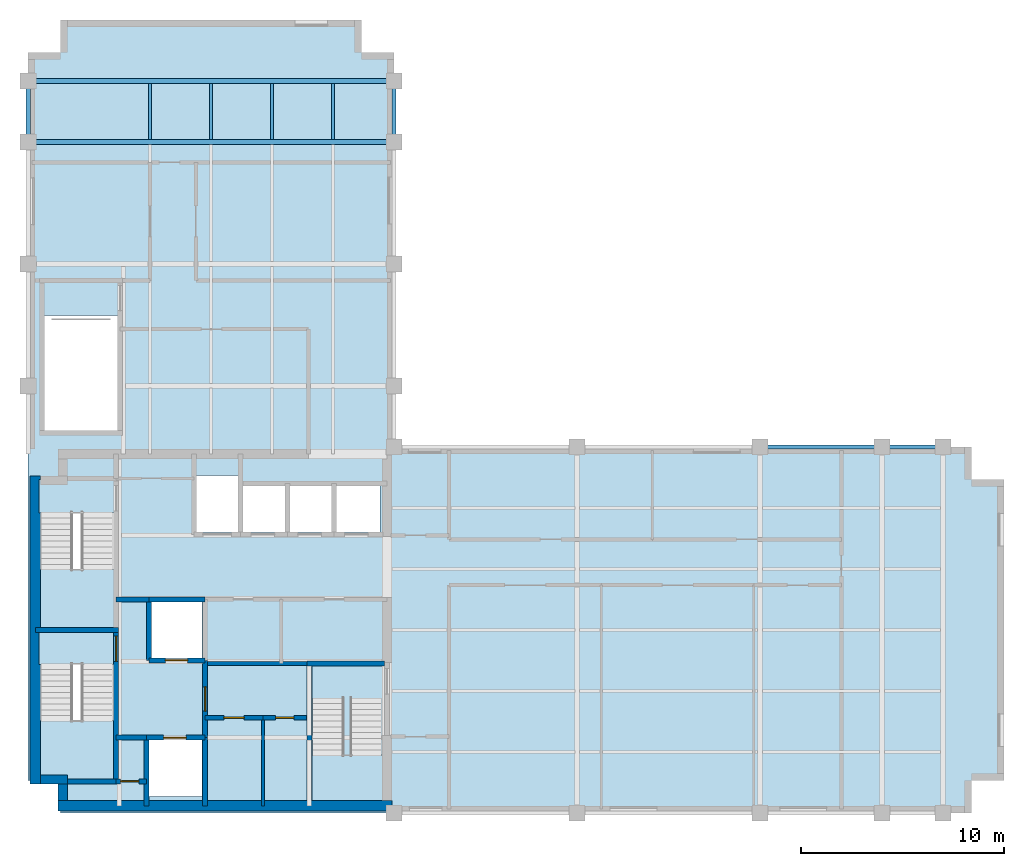
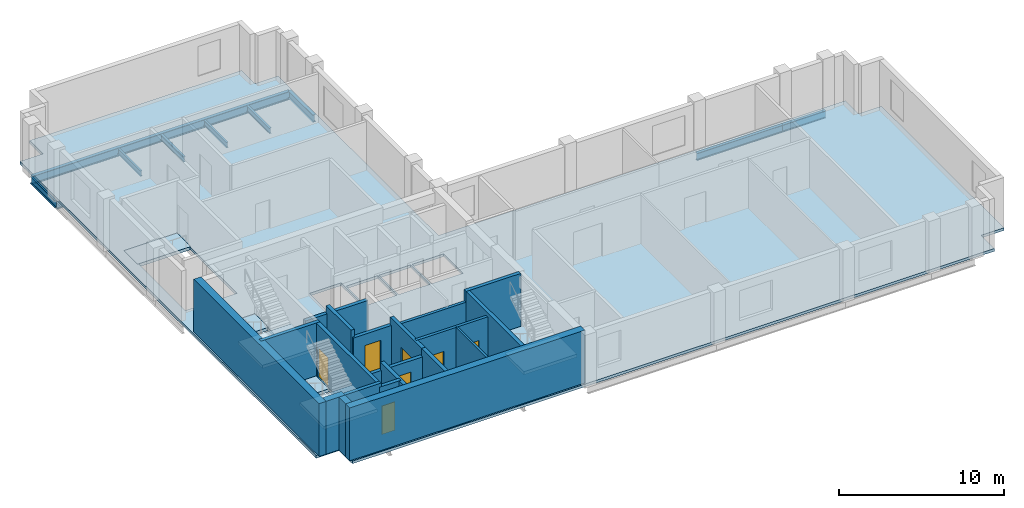
# One storey, part 2 of 6: 23 walls, 10 beams, 7 doors, 7 slabs, 7 openings, 3 elements without a shape of their own.
"""IFC4 building model written with IfcOpenShell, lengths in metres."""

from ifc_helpers import new_model, si_unit, direction, frame, frame_2d, origin, origin_2d, place, context, subcontext, project, spatial, polyline, rectangle, i_section, outline, extrude, material, layer, layer_set, material_profile, profile_set, type_object, element, fill, aggregate, save


model = new_model("IFC4")

# Units and contexts
model_context = context("Model", 3, precision=1e-05, world=origin(), true_north=direction((0.0, 1.0)))
body_context = subcontext(model_context, "Body", "Model", "MODEL_VIEW")
ifc_project = project(units=[si_unit("LENGTHUNIT", "METRE"), si_unit("AREAUNIT", "SQUARE_METRE"), si_unit("VOLUMEUNIT", "CUBIC_METRE"), si_unit("PLANEANGLEUNIT", "RADIAN"), si_unit("MASSUNIT", "GRAM", prefix="KILO")], contexts=[model_context])

# Site, building, storey
site_placement = place(None, origin())
site = spatial("IfcSite", under=ifc_project, at=site_placement, CompositionType="ELEMENT")
building_placement = place(site_placement, origin())
building = spatial("IfcBuilding", under=site, at=building_placement, Name="Mawjdan Bourse Tower", CompositionType="ELEMENT")
storey_placement = place(building_placement, frame((0.0, 0.0, 250.800048828125)))
storey = spatial("IfcBuildingStorey", under=building, at=storey_placement, Name="L61", CompositionType="ELEMENT", Elevation=250.800048828125)

# Beams
ifc_material_1 = material(Name="Structural Steel S355", Category="steel")
ifc_material_profile_1 = material_profile(ifc_material_1, i_section(OverallWidth=0.22998046875, OverallDepth=0.616943359375, WebThickness=0.01318359375, FlangeThickness=0.022216796875, FilletRadius=0.017822265625, at=origin_2d()), Name="W24X94")
ifc_profile_set_1 = profile_set([ifc_material_profile_1], Name="Structural Steel S355")
beam_type_1 = type_object("IfcBeamType", Name="GRD-W24X94", PredefinedType="BEAM", material=ifc_profile_set_1)
for number, where, z_axis, x_axis, name in (
    (1, (6.0, 36.0, -0.508544921875), (1.0, 0.0, 0.0), (0.0, 1.0, 0.0), "L61 North Wing Clear-Span Girder 041"),
    (2, (6.0, 39.0, -0.508544921875), (1.0, 0.0, 0.0), (0.0, 1.0, 0.0), "L61 North Wing Clear-Span Girder 042"),
):
    element("IfcBeam", number, at=place(storey_placement, frame(where, z_axis=z_axis, x_axis=x_axis)), inside=storey, type_object=beam_type_1, Name=name, PredefinedType="BEAM", context=body_context, shape_type="SweptSolid", body=[
        extrude(i_section(OverallWidth=0.22998046875, OverallDepth=0.616943359375, WebThickness=0.01318359375, FlangeThickness=0.022216796875, FilletRadius=0.017822265625, at=origin_2d()), origin(), (0.0, 0.0, 1.0), 18.0),
    ])
ifc_material_profile_2 = material_profile(ifc_material_1, i_section(OverallWidth=0.139892578125, OverallDepth=0.404052734375, WebThickness=0.007080078125, FlangeThickness=0.01123046875, FilletRadius=0.009033203125, at=origin_2d()), Name="W16X31")
ifc_profile_set_2 = profile_set([ifc_material_profile_2], Name="Structural Steel S355")
beam_type_2 = type_object("IfcBeamType", Name="JST-W16X31", PredefinedType="JOIST", material=ifc_profile_set_2)
for number, where, z_axis, x_axis, name in (
    (3, (12.0, 36.113037109375, -0.402099609375), (0.0, 1.0, 0.0), (-1.0, 0.0, 0.0), "L61 North Wing Composite Joist 054"),
    (4, (15.0, 36.113037109375, -0.402099609375), (0.0, 1.0, 0.0), (-1.0, 0.0, 0.0), "L61 North Wing Composite Joist 058"),
    (5, (18.0, 36.113037109375, -0.402099609375), (0.0, 1.0, 0.0), (-1.0, 0.0, 0.0), "L61 North Wing Composite Joist 062"),
    (6, (21.0, 36.113037109375, -0.402099609375), (0.0, 1.0, 0.0), (-1.0, 0.0, 0.0), "L61 North Wing Composite Joist 066"),
):
    element("IfcBeam", number, at=place(storey_placement, frame(where, z_axis=z_axis, x_axis=x_axis)), inside=storey, type_object=beam_type_2, Name=name, PredefinedType="JOIST", context=body_context, shape_type="SweptSolid", body=[
        extrude(i_section(OverallWidth=0.139892578125, OverallDepth=0.404052734375, WebThickness=0.007080078125, FlangeThickness=0.01123046875, FilletRadius=0.009033203125, at=origin_2d()), origin(), (0.0, 0.0, 1.0), 2.77392578125),
    ])
ifc_material_profile_3 = material_profile(ifc_material_1, i_section(OverallWidth=0.2099609375, OverallDepth=0.537109375, WebThickness=0.010986328125, FlangeThickness=0.017333984375, FilletRadius=0.013916015625, at=origin_2d()), Name="W21X68")
ifc_profile_set_3 = profile_set([ifc_material_profile_3], Name="Structural Steel S355")
beam_type_3 = type_object("IfcBeamType", Name="SPN-W21X68", PredefinedType="SPANDREL", material=ifc_profile_set_3)
beam_placement = place(storey_placement, frame((42.0, 21.0, -0.468505859375), z_axis=(1.0, 0.0, 0.0), x_axis=(0.0, 1.0, 0.0)))
element("IfcBeam", 7, at=beam_placement, inside=storey, type_object=beam_type_3, Name="L61 Perimeter Masonry-Shelf Spandrel 012", PredefinedType="SPANDREL", context=body_context, shape_type="SweptSolid", body=[
    extrude(i_section(OverallWidth=0.2099609375, OverallDepth=0.537109375, WebThickness=0.010986328125, FlangeThickness=0.017333984375, FilletRadius=0.013916015625, at=origin_2d()), origin(), (0.0, 0.0, 1.0), 6.0),
])
for number, where, z_axis, x_axis, name in (
    (8, (48.0, 21.0, -0.468505859375), (1.0, 0.0, 0.0), (0.0, 1.0, 0.0), "L61 Perimeter Masonry-Shelf Spandrel 013"),
    (9, (6.0, 36.0, -0.468505859375), (0.0, 1.0, 0.0), (-1.0, 0.0, 0.0), "L61 North Wing Spandrel 046"),
    (10, (24.0, 36.0, -0.468505859375), (0.0, 1.0, 0.0), (-1.0, 0.0, 0.0), "L61 North Wing Spandrel 050"),
):
    element("IfcBeam", number, at=place(storey_placement, frame(where, z_axis=z_axis, x_axis=x_axis)), inside=storey, type_object=beam_type_3, Name=name, PredefinedType="SPANDREL", context=body_context, shape_type="SweptSolid", body=[
        extrude(i_section(OverallWidth=0.2099609375, OverallDepth=0.537109375, WebThickness=0.010986328125, FlangeThickness=0.017333984375, FilletRadius=0.013916015625, at=origin_2d()), origin(), (0.0, 0.0, 1.0), 3.0),
    ])

# Stair, slabs
ifc_material_2 = material(Name="Concrete C50/60", Category="concrete")
stair_type = type_object("IfcStairType", Name="STR-CORE-1500", PredefinedType="HALF_TURN_STAIR", material=ifc_material_2)
stair_1_placement = place(storey_placement, origin())
stair_1 = element("IfcStair", 11, at=stair_1_placement, inside=storey, type_object=stair_type, Name="L61 Exit Stair 1 (Core South-West)", PredefinedType="HALF_TURN_STAIR")
ifc_layer_1 = layer(ifc_material_2, 0.22998046875)
ifc_layer_set_1 = layer_set([ifc_layer_1], Name="Concrete C50/60")
slab_type_1 = type_object("IfcSlabType", Name="SL-LND-230", PredefinedType="LANDING", material=ifc_layer_set_1)
slab_1_placement = place(storey_placement, frame((0.0, 0.0, -0.22998046875)))
slab_1 = element("IfcSlab", 12, at=slab_1_placement, type_object=slab_type_1, Name="ST1-L61 landing 1", PredefinedType="LANDING", context=body_context, shape_type="SweptSolid", body=[
    extrude(outline(polyline([(6.5400390625, 10.31005859375), (10.260009765625, 10.31005859375), (10.260009765625, 11.969970703125), (6.5400390625, 11.969970703125), (6.5400390625, 10.31005859375)])), origin(), (0.0, 0.0, 1.0), 0.22998046875),
])
slab_2_placement = place(storey_placement, frame((0.0, 0.0, 1.719970703125)))
slab_2 = element("IfcSlab", 13, at=slab_2_placement, type_object=slab_type_1, Name="ST1-L61 landing 2", PredefinedType="LANDING", context=body_context, shape_type="SweptSolid", body=[
    extrude(outline(polyline([(6.5400390625, 4.590087890625), (10.260009765625, 4.590087890625), (10.260009765625, 7.5400390625), (6.5400390625, 7.5400390625), (6.5400390625, 4.590087890625)])), origin(), (0.0, 0.0, 1.0), 0.22998046875),
])
aggregate(stair_1, [slab_1, slab_2])

stair_2_placement = place(storey_placement, origin())
stair_2 = element("IfcStair", 14, at=stair_2_placement, inside=storey, type_object=stair_type, Name="L61 Exit Stair 2 (Core North-West)", PredefinedType="HALF_TURN_STAIR")
slab_3_placement = place(storey_placement, frame((0.0, 0.0, -0.22998046875)))
slab_3 = element("IfcSlab", 15, at=slab_3_placement, type_object=slab_type_1, Name="ST2-L61 landing 1", PredefinedType="LANDING", context=body_context, shape_type="SweptSolid", body=[
    extrude(outline(polyline([(6.5400390625, 17.75), (10.260009765625, 17.75), (10.260009765625, 19.409912109375), (6.5400390625, 19.409912109375), (6.5400390625, 17.75)])), origin(), (0.0, 0.0, 1.0), 0.22998046875),
])
slab_4_placement = place(storey_placement, frame((0.0, 0.0, 1.719970703125)))
slab_4 = element("IfcSlab", 16, at=slab_4_placement, type_object=slab_type_1, Name="ST2-L61 landing 2", PredefinedType="LANDING", context=body_context, shape_type="SweptSolid", body=[
    extrude(outline(polyline([(6.5400390625, 12.030029296875), (10.260009765625, 12.030029296875), (10.260009765625, 14.97998046875), (6.5400390625, 14.97998046875), (6.5400390625, 12.030029296875)])), origin(), (0.0, 0.0, 1.0), 0.22998046875),
])
aggregate(stair_2, [slab_3, slab_4])

# Slab
slab_5_placement = place(storey_placement, frame((0.0, 0.0, -0.22998046875)))
element("IfcSlab", 17, at=slab_5_placement, inside=storey, type_object=slab_type_1, Name="L61 ST3 Top Arrival Landing", PredefinedType="LANDING", context=body_context, shape_type="SweptSolid", body=[
    extrude(outline(polyline([(6.739990234375, 27.4599609375), (10.4599609375, 27.4599609375), (10.4599609375, 29.1201171875), (6.739990234375, 29.1201171875), (6.739990234375, 27.4599609375)])), origin(), (0.0, 0.0, 1.0), 0.22998046875),
])

# Stair, slab
stair_3_placement = place(storey_placement, origin())
stair_3 = element("IfcStair", 18, at=stair_3_placement, inside=storey, type_object=stair_type, Name="L61 Exit Stair 7 (Core South-East)", PredefinedType="HALF_TURN_STAIR")
slab_6_placement = place(storey_placement, frame((0.0, 0.0, 1.719970703125)))
slab_6 = element("IfcSlab", 19, at=slab_6_placement, type_object=slab_type_1, Name="ST7-L61 landing 1", PredefinedType="LANDING", context=body_context, shape_type="SweptSolid", body=[
    extrude(outline(polyline([(19.889892578125, 3.56005859375), (23.610107421875, 3.56005859375), (23.610107421875, 5.85009765625), (19.889892578125, 5.85009765625), (19.889892578125, 3.56005859375)])), origin(), (0.0, 0.0, 1.0), 0.22998046875),
])
aggregate(stair_3, [slab_6])

# Slab
ifc_layer_2 = layer(ifc_material_2, 0.199951171875)
ifc_layer_set_2 = layer_set([ifc_layer_2], Name="Concrete C50/60")
slab_type_2 = type_object("IfcSlabType", Name="SL-OFC-200", PredefinedType="FLOOR", material=ifc_layer_set_2)
slab_7_placement = place(storey_placement, frame((0.0, 0.0, -0.199951171875)))
element("IfcSlab", 20, at=slab_7_placement, inside=storey, type_object=slab_type_2, Name="L61 Structural Floor Slab 1", PredefinedType="FLOOR", context=body_context, shape_type="SweptSolid", body=[
    extrude(outline(polyline([(7.60009765625, 3.0), (52.39990234375, 3.0), (52.39990234375, 4.60009765625), (54.0, 4.60009765625), (54.0, 19.39990234375), (52.39990234375, 19.39990234375), (52.39990234375, 21.0), (24.0, 21.0), (24.0, 40.39990234375), (22.39990234375, 40.39990234375), (22.39990234375, 42.0), (7.60009765625, 42.0), (7.60009765625, 40.39990234375), (6.0, 40.39990234375), (6.0, 4.60009765625), (7.60009765625, 4.60009765625), (7.60009765625, 3.0)]), holes=[polyline([(6.5400390625, 11.969970703125), (10.260009765625, 11.969970703125), (10.260009765625, 10.31005859375), (10.199951171875, 10.31005859375), (10.199951171875, 4.64990234375), (6.60009765625, 4.64990234375), (6.60009765625, 10.31005859375), (6.5400390625, 10.31005859375), (6.5400390625, 11.969970703125)]), polyline([(6.60009765625, 12.090087890625), (6.60009765625, 17.75), (6.5400390625, 17.75), (6.5400390625, 19.409912109375), (10.260009765625, 19.409912109375), (10.260009765625, 17.75), (10.199951171875, 17.75), (10.199951171875, 12.090087890625), (6.60009765625, 12.090087890625)]), polyline([(10.4599609375, 29.1201171875), (10.4599609375, 27.4599609375), (10.39990234375, 27.4599609375), (10.39990234375, 21.800048828125), (6.800048828125, 21.800048828125), (6.800048828125, 27.4599609375), (6.739990234375, 27.4599609375), (6.739990234375, 29.1201171875), (10.4599609375, 29.1201171875)]), polyline([(14.550048828125, 3.800048828125), (11.949951171875, 3.800048828125), (11.949951171875, 6.60009765625), (14.550048828125, 6.60009765625), (14.550048828125, 3.800048828125)]), polyline([(12.050048828125, 10.60009765625), (12.050048828125, 13.39990234375), (14.550048828125, 13.39990234375), (14.550048828125, 10.60009765625), (12.050048828125, 10.60009765625)]), polyline([(16.5, 16.800048828125), (16.5, 19.14990234375), (18.699951171875, 19.14990234375), (18.699951171875, 16.800048828125), (16.5, 16.800048828125)]), polyline([(21.0, 16.800048828125), (18.800048828125, 16.800048828125), (18.800048828125, 19.14990234375), (21.0, 19.14990234375), (21.0, 16.800048828125)]), polyline([(21.10009765625, 16.800048828125), (21.10009765625, 19.14990234375), (23.300048828125, 19.14990234375), (23.300048828125, 16.800048828125), (21.10009765625, 16.800048828125)]), polyline([(14.199951171875, 16.800048828125), (14.199951171875, 19.60009765625), (16.39990234375, 19.60009765625), (16.39990234375, 16.800048828125), (14.199951171875, 16.800048828125)])]), origin(), (0.0, 0.0, 1.0), 0.199951171875),
])

# Wall, opening, door
ifc_material_3 = material(Name="Gypsum Fireboard Assembly")
ifc_layer_3 = layer(ifc_material_3, 0.199951171875)
ifc_layer_set_3 = layer_set([ifc_layer_3], Name="Gypsum Fireboard Assembly")
wall_type_1 = type_object("IfcWallType", Name="WL-CMP-200", PredefinedType="PARTITIONING", material=ifc_layer_set_3)
wall_1_placement = place(storey_placement, frame((14.699951171875, 7.679931640625, 0.0), z_axis=(0.0, 0.0, 1.0), x_axis=(1.0, 0.0, 0.0)))
wall_1 = element("IfcWall", 21, at=wall_1_placement, inside=storey, type_object=wall_type_1, Name="L61 Archive & Records Office North Wall", PredefinedType="PARTITIONING", context=body_context, shape_type="SweptSolid", body=[
    extrude(rectangle(XDim=2.85009765625, YDim=0.199951171875, at=frame_2d((1.425048828125, 0.0))), origin(), (0.0, 0.0, 1.0), 3.6298828125),
])
opening_1_placement = place(wall_1_placement, frame((0.925048828125, 0.0, 0.0)))
opening_1 = element("IfcOpeningElement", 22, at=opening_1_placement, cuts=wall_1, Name="Opening D-L61-13", PredefinedType="OPENING", context=body_context, shape_type="SweptSolid", body=[
    extrude(rectangle(XDim=1.0, YDim=2.14990234375, at=frame_2d((0.5, 1.074951171875))), frame((0.0, 0.10986328125, 0.0), z_axis=(0.0, -1.0, 0.0), x_axis=(1.0, 0.0, 0.0)), (0.0, 0.0, 1.0), 0.219970703125),
])
ifc_material_4 = material(Name="Hardwood Acoustic Leaf", Category="wood")
door_type_1 = type_object("IfcDoorType", Name="DR-OFC-1000", OperationType="NOTDEFINED", PredefinedType="DOOR", material=ifc_material_4)
door_1_placement = place(opening_1_placement, origin())
door_1 = element("IfcDoor", 23, at=door_1_placement, inside=storey, type_object=door_type_1, Name="L61 Archive & Records Office Door D-L61-13", OperationType="SINGLE_SWING_RIGHT", OverallHeight=2.14990234375, OverallWidth=1.0, PredefinedType="DOOR", context=body_context, shape_type="SweptSolid", body=[
    extrude(rectangle(XDim=1.0, YDim=2.14990234375, at=frame_2d((0.5, 1.074951171875))), frame((0.0, 0.02490234375, 0.0), z_axis=(0.0, -1.0, 0.0), x_axis=(1.0, 0.0, 0.0)), (0.0, 0.0, 1.0), 0.050048828125),
])
fill(opening_1, door_1)

wall_2_placement = place(storey_placement, frame((17.550048828125, 7.679931640625, 0.0), z_axis=(0.0, 0.0, 1.0), x_axis=(1.0, 0.0, 0.0)))
wall_2 = element("IfcWall", 24, at=wall_2_placement, inside=storey, type_object=wall_type_1, Name="L61 IT & Fiber Patch Room North Wall", PredefinedType="PARTITIONING", context=body_context, shape_type="SweptSolid", body=[
    extrude(rectangle(XDim=2.14990234375, YDim=0.199951171875, at=frame_2d((1.074951171875, 0.0))), origin(), (0.0, 0.0, 1.0), 3.6298828125),
])
opening_2_placement = place(wall_2_placement, frame((0.625, 0.0, 0.0)))
opening_2 = element("IfcOpeningElement", 25, at=opening_2_placement, cuts=wall_2, Name="Opening D-L61-14", PredefinedType="OPENING", context=body_context, shape_type="SweptSolid", body=[
    extrude(rectangle(XDim=0.89990234375, YDim=2.10009765625, at=frame_2d((0.449951171875, 1.050048828125))), frame((0.0, 0.10986328125, 0.0), z_axis=(0.0, -1.0, 0.0), x_axis=(1.0, 0.0, 0.0)), (0.0, 0.0, 1.0), 0.219970703125),
])
ifc_material_5 = material(Name="Fire-Rated Steel Access Leaf", Category="steel")
door_type_2 = type_object("IfcDoorType", Name="FD-RSR-0900", OperationType="NOTDEFINED", PredefinedType="TRAPDOOR", material=ifc_material_5)
door_2_placement = place(opening_2_placement, origin())
door_2 = element("IfcDoor", 26, at=door_2_placement, inside=storey, type_object=door_type_2, Name="L61 IT & Fiber Patch Room Door D-L61-14", OperationType="SINGLE_SWING_LEFT", OverallHeight=2.10009765625, OverallWidth=0.89990234375, PredefinedType="TRAPDOOR", context=body_context, shape_type="SweptSolid", body=[
    extrude(rectangle(XDim=0.89990234375, YDim=2.10009765625, at=frame_2d((0.449951171875, 1.050048828125))), frame((0.0, 0.02490234375, 0.0), z_axis=(0.0, -1.0, 0.0), x_axis=(1.0, 0.0, 0.0)), (0.0, 0.0, 1.0), 0.050048828125),
])
fill(opening_2, door_2)

# Walls
wall_3_placement = place(storey_placement, frame((14.824951171875, 10.340087890625, 0.0), z_axis=(0.0, 0.0, 1.0), x_axis=(1.0, 0.0, 0.0)))
element("IfcWall", 27, at=wall_3_placement, inside=storey, type_object=wall_type_1, Name="L61 Core Restroom Suite South Wall", PredefinedType="PARTITIONING", context=body_context, shape_type="SweptSolid", body=[
    extrude(rectangle(XDim=4.880126953125, YDim=0.199951171875, at=frame_2d((2.43994140625, 0.0))), origin(), (0.0, 0.0, 1.0), 3.087890625),
])
ifc_material_6 = material(Name="Concrete C60/75", Category="concrete")
ifc_layer_4 = layer(ifc_material_6, 0.449951171875)
ifc_layer_set_4 = layer_set([ifc_layer_4], Name="Concrete C60/75")
wall_type_2 = type_object("IfcWallType", Name="WL-CORE-450", PredefinedType="SHEAR", material=ifc_layer_set_4)
wall_4_placement = place(storey_placement, frame((6.60009765625, 4.64990234375, 0.0), z_axis=(0.0, 0.0, 1.0), x_axis=(1.0, 0.0, 0.0)))
element("IfcWall", 28, at=wall_4_placement, inside=storey, type_object=wall_type_2, Name="L61 Rear Core Shear Wall SW-X", PredefinedType="SHEAR", context=body_context, shape_type="SweptSolid", body=[
    extrude(rectangle(XDim=1.324951171875, YDim=0.449951171875, at=frame_2d((0.66259765625, 0.0))), origin(), (0.0, 0.0, 1.0), 3.89990234375),
])
wall_5_placement = place(storey_placement, frame((7.699951171875, 3.60009765625, 0.0), z_axis=(0.0, 0.0, 1.0), x_axis=(0.0, 1.0, 0.0)))
element("IfcWall", 29, at=wall_5_placement, inside=storey, type_object=wall_type_2, Name="L61 Rear Core Shear Wall SW-Y", PredefinedType="SHEAR", context=body_context, shape_type="SweptSolid", body=[
    extrude(rectangle(XDim=0.824951171875, YDim=0.449951171875, at=frame_2d((0.41259765625, 0.0))), origin(), (0.0, 0.0, 1.0), 3.89990234375),
])
ifc_layer_5 = layer(ifc_material_6, 0.5)
ifc_layer_set_5 = layer_set([ifc_layer_5], Name="Concrete C60/75")
wall_type_3 = type_object("IfcWallType", Name="WL-CORE-500", PredefinedType="SHEAR", material=ifc_layer_set_5)
wall_6_placement = place(storey_placement, frame((7.47509765625, 3.35009765625, 0.0), z_axis=(0.0, 0.0, 1.0), x_axis=(1.0, 0.0, 0.0)))
element("IfcWall", 30, at=wall_6_placement, inside=storey, type_object=wall_type_3, Name="L61 Rear Core Shear Wall S", PredefinedType="SHEAR", context=body_context, shape_type="SweptSolid", body=[
    extrude(rectangle(XDim=16.4248046875, YDim=0.5, at=frame_2d((8.21240234375, 0.0))), origin(), (0.0, 0.0, 1.0), 3.89990234375),
])
wall_7_placement = place(storey_placement, frame((6.35009765625, 4.425048828125, 0.0), z_axis=(0.0, 0.0, 1.0), x_axis=(0.0, 1.0, 0.0)))
element("IfcWall", 31, at=wall_7_placement, inside=storey, type_object=wall_type_3, Name="L61 Rear Core Shear Wall W", PredefinedType="SHEAR", context=body_context, shape_type="SweptSolid", body=[
    extrude(rectangle(XDim=15.14990234375, YDim=0.5, at=frame_2d((7.574951171875, 0.0))), origin(), (0.0, 0.0, 1.0), 3.89990234375),
])
ifc_material_7 = material(Name="Gypsum Acoustic Partition")
ifc_layer_6 = layer(ifc_material_7, 0.14990234375)
ifc_layer_set_6 = layer_set([ifc_layer_6], Name="Gypsum Acoustic Partition")
wall_type_4 = type_object("IfcWallType", Name="WL-PRT-150", PredefinedType="PARTITIONING", material=ifc_layer_set_6)
wall_8_placement = place(storey_placement, frame((17.550048828125, 3.35009765625, 0.0), z_axis=(0.0, 0.0, 1.0), x_axis=(0.0, 1.0, 0.0)))
element("IfcWall", 32, at=wall_8_placement, inside=storey, type_object=wall_type_4, Name="L61 IT & Fiber Patch Room Core Split Wall", PredefinedType="PARTITIONING", context=body_context, shape_type="SweptSolid", body=[
    extrude(rectangle(XDim=4.329833984375, YDim=0.14990234375, at=frame_2d((2.1650390625, 0.0))), origin(), (0.0, 0.0, 1.0), 3.6298828125),
])

# Wall, opening, door
ifc_layer_7 = layer(ifc_material_2, 0.25)
ifc_layer_set_7 = layer_set([ifc_layer_7], Name="Concrete C50/60")
wall_type_5 = type_object("IfcWallType", Name="WL-SHFT-250", PredefinedType="PARTITIONING", material=ifc_layer_set_7)
wall_9_placement = place(storey_placement, frame((10.330078125, 4.550048828125, 0.0), z_axis=(0.0, 0.0, 1.0), x_axis=(1.0, 0.0, 0.0)))
wall_9 = element("IfcWall", 33, at=wall_9_placement, inside=storey, type_object=wall_type_5, Name="L61 SW Riser North Wall", PredefinedType="PARTITIONING", context=body_context, shape_type="SweptSolid", body=[
    extrude(rectangle(XDim=1.489990234375, YDim=0.25, at=frame_2d((0.7451171875, 0.0))), origin(), (0.0, 0.0, 1.0), 3.6298828125),
])
opening_3_placement = place(wall_9_placement, frame((0.219970703125, 0.0, 0.0)))
opening_3 = element("IfcOpeningElement", 34, at=opening_3_placement, cuts=wall_9, Name="Opening RD-L61-03", PredefinedType="OPENING", context=body_context, shape_type="SweptSolid", body=[
    extrude(rectangle(XDim=0.89990234375, YDim=2.10009765625, at=frame_2d((0.449951171875, 1.050048828125))), frame((0.0, 0.135009765625, 0.0), z_axis=(0.0, -1.0, 0.0), x_axis=(1.0, 0.0, 0.0)), (0.0, 0.0, 1.0), 0.27001953125),
])
door_3_placement = place(opening_3_placement, origin())
door_3 = element("IfcDoor", 35, at=door_3_placement, inside=storey, type_object=door_type_2, Name="L61 Electrical Riser Access Door RD-L61-03", OperationType="SINGLE_SWING_RIGHT", OverallHeight=2.10009765625, OverallWidth=0.89990234375, PredefinedType="TRAPDOOR", context=body_context, shape_type="SweptSolid", body=[
    extrude(rectangle(XDim=0.89990234375, YDim=2.10009765625, at=frame_2d((0.449951171875, 1.050048828125))), frame((0.0, 0.02490234375, 0.0), z_axis=(0.0, -1.0, 0.0), x_axis=(1.0, 0.0, 0.0)), (0.0, 0.0, 1.0), 0.050048828125),
])
fill(opening_3, door_3)

# Wall
wall_10_placement = place(storey_placement, frame((11.820068359375, 3.35009765625, 0.0), z_axis=(0.0, 0.0, 1.0), x_axis=(0.0, 1.0, 0.0)))
element("IfcWall", 36, at=wall_10_placement, inside=storey, type_object=wall_type_5, Name="L61 SW Riser & FFL01 West Wall", PredefinedType="PARTITIONING", context=body_context, shape_type="SweptSolid", body=[
    extrude(rectangle(XDim=3.349853515625, YDim=0.25, at=frame_2d((1.6748046875, 0.0))), origin(), (0.0, 0.0, 1.0), 3.6298828125),
])

# Wall, opening, door
wall_11_placement = place(storey_placement, frame((11.820068359375, 6.699951171875, 0.0), z_axis=(0.0, 0.0, 1.0), x_axis=(1.0, 0.0, 0.0)))
wall_11 = element("IfcWall", 37, at=wall_11_placement, inside=storey, type_object=wall_type_5, Name="L61 FFL-01 Front Shaft Wall", PredefinedType="PARTITIONING", context=body_context, shape_type="SweptSolid", body=[
    extrude(rectangle(XDim=2.8798828125, YDim=0.25, at=frame_2d((1.43994140625, 0.0))), origin(), (0.0, 0.0, 1.0), 3.087890625),
])
opening_4_placement = place(wall_11_placement, frame((0.85009765625, 0.0, 0.0)))
opening_4 = element("IfcOpeningElement", 38, at=opening_4_placement, cuts=wall_11, Name="Opening LD-L61-05", PredefinedType="OPENING", context=body_context, shape_type="SweptSolid", body=[
    extrude(rectangle(XDim=1.10009765625, YDim=2.25, at=frame_2d((0.550048828125, 1.125))), frame((0.0, 0.135009765625, 0.0), z_axis=(0.0, -1.0, 0.0), x_axis=(1.0, 0.0, 0.0)), (0.0, 0.0, 1.0), 0.27001953125),
])
ifc_material_8 = material(Name="Brushed Stainless Steel", Category="steel")
door_type_3 = type_object("IfcDoorType", Name="LD-FFL-1100", OperationType="DOUBLE_DOOR_SLIDING", PredefinedType="DOOR", material=ifc_material_8)
door_4_placement = place(opening_4_placement, origin())
door_4 = element("IfcDoor", 39, at=door_4_placement, inside=storey, type_object=door_type_3, Name="L61 Firefighting Lift FFL-01 Landing Door LD-L61-05", OperationType="DOUBLE_DOOR_SLIDING", OverallHeight=2.25, OverallWidth=1.10009765625, PredefinedType="DOOR", context=body_context, shape_type="SweptSolid", body=[
    extrude(rectangle(XDim=1.10009765625, YDim=2.25, at=frame_2d((0.550048828125, 1.125))), frame((0.0, 0.02490234375, 0.0), z_axis=(0.0, -1.0, 0.0), x_axis=(1.0, 0.0, 0.0)), (0.0, 0.0, 1.0), 0.050048828125),
])
fill(opening_4, door_4)

# Wall
wall_12_placement = place(storey_placement, frame((14.699951171875, 3.35009765625, 0.0), z_axis=(0.0, 0.0, 1.0), x_axis=(0.0, 1.0, 0.0)))
element("IfcWall", 40, at=wall_12_placement, inside=storey, type_object=wall_type_5, Name="L61 FFL-01 East Shaft Wall", PredefinedType="PARTITIONING", context=body_context, shape_type="SweptSolid", body=[
    extrude(rectangle(XDim=3.349853515625, YDim=0.25, at=frame_2d((1.6748046875, 0.0))), origin(), (0.0, 0.0, 1.0), 3.6298828125),
])

# Wall, opening, door
wall_13_placement = place(storey_placement, frame((11.949951171875, 10.5, 0.0), z_axis=(0.0, 0.0, 1.0), x_axis=(1.0, 0.0, 0.0)))
wall_13 = element("IfcWall", 41, at=wall_13_placement, inside=storey, type_object=wall_type_5, Name="L61 FFL-02 Front Shaft Wall", PredefinedType="PARTITIONING", context=body_context, shape_type="SweptSolid", body=[
    extrude(rectangle(XDim=2.75, YDim=0.25, at=frame_2d((1.375, 0.0))), origin(), (0.0, 0.0, 1.0), 3.087890625),
])
opening_5_placement = place(wall_13_placement, frame((0.800048828125, 0.0, 0.0)))
opening_5 = element("IfcOpeningElement", 42, at=opening_5_placement, cuts=wall_13, Name="Opening LD-L61-06", PredefinedType="OPENING", context=body_context, shape_type="SweptSolid", body=[
    extrude(rectangle(XDim=1.10009765625, YDim=2.25, at=frame_2d((0.550048828125, 1.125))), frame((0.0, 0.135009765625, 0.0), z_axis=(0.0, -1.0, 0.0), x_axis=(1.0, 0.0, 0.0)), (0.0, 0.0, 1.0), 0.27001953125),
])
door_5_placement = place(opening_5_placement, origin())
door_5 = element("IfcDoor", 43, at=door_5_placement, inside=storey, type_object=door_type_3, Name="L61 Firefighting Lift FFL-02 Landing Door LD-L61-06", OperationType="DOUBLE_DOOR_SLIDING", OverallHeight=2.25, OverallWidth=1.10009765625, PredefinedType="DOOR", context=body_context, shape_type="SweptSolid", body=[
    extrude(rectangle(XDim=1.10009765625, YDim=2.25, at=frame_2d((0.550048828125, 1.125))), frame((0.0, 0.02490234375, 0.0), z_axis=(0.0, -1.0, 0.0), x_axis=(1.0, 0.0, 0.0)), (0.0, 0.0, 1.0), 0.050048828125),
])
fill(opening_5, door_5)

# Walls
wall_14_placement = place(storey_placement, frame((11.949951171875, 10.5, 0.0), z_axis=(0.0, 0.0, 1.0), x_axis=(0.0, 1.0, 0.0)))
element("IfcWall", 44, at=wall_14_placement, inside=storey, type_object=wall_type_5, Name="L61 FFL-02 West Shaft Wall", PredefinedType="PARTITIONING", context=body_context, shape_type="SweptSolid", body=[
    extrude(rectangle(XDim=3.0, YDim=0.25, at=frame_2d((1.5, 0.0))), origin(), (0.0, 0.0, 1.0), 3.6298828125),
])
wall_15_placement = place(storey_placement, frame((11.949951171875, 13.5, 0.0), z_axis=(0.0, 0.0, 1.0), x_axis=(1.0, 0.0, 0.0)))
element("IfcWall", 45, at=wall_15_placement, inside=storey, type_object=wall_type_5, Name="L61 FFL-02 North Shaft Wall", PredefinedType="PARTITIONING", context=body_context, shape_type="SweptSolid", body=[
    extrude(rectangle(XDim=2.75, YDim=0.25, at=frame_2d((1.375, 0.0))), origin(), (0.0, 0.0, 1.0), 3.087890625),
])

# Wall, opening, door
wall_16_placement = place(storey_placement, frame((14.699951171875, 6.699951171875, 0.0), z_axis=(0.0, 0.0, 1.0), x_axis=(0.0, 1.0, 0.0)))
wall_16 = element("IfcWall", 46, at=wall_16_placement, inside=storey, type_object=wall_type_5, Name="L61 Firefighting Lobby East Compartment Wall", PredefinedType="PARTITIONING", context=body_context, shape_type="SweptSolid", body=[
    extrude(rectangle(XDim=3.800048828125, YDim=0.25, at=frame_2d((1.89990234375, 0.0))), origin(), (0.0, 0.0, 1.0), 3.6298828125),
])
opening_6_placement = place(wall_16_placement, frame((1.300048828125, 0.0, 0.0)))
opening_6 = element("IfcOpeningElement", 47, at=opening_6_placement, cuts=wall_16, Name="Opening FD-L61-07", PredefinedType="OPENING", context=body_context, shape_type="SweptSolid", body=[
    extrude(rectangle(XDim=1.199951171875, YDim=2.199951171875, at=frame_2d((0.60009765625, 1.10009765625))), frame((0.0, 0.135009765625, 0.0), z_axis=(0.0, -1.0, 0.0), x_axis=(1.0, 0.0, 0.0)), (0.0, 0.0, 1.0), 0.27001953125),
])
ifc_material_9 = material(Name="Fire-Rated Steel Leaf", Category="steel")
door_type_4 = type_object("IfcDoorType", Name="FD-FFL-1200", OperationType="NOTDEFINED", PredefinedType="DOOR", material=ifc_material_9)
door_6_placement = place(opening_6_placement, origin())
door_6 = element("IfcDoor", 48, at=door_6_placement, inside=storey, type_object=door_type_4, Name="L61 Firefighting Lobby East Smoke Door FD-L61-07", OperationType="SINGLE_SWING_RIGHT", OverallHeight=2.199951171875, OverallWidth=1.199951171875, PredefinedType="DOOR", context=body_context, shape_type="SweptSolid", body=[
    extrude(rectangle(XDim=1.199951171875, YDim=2.199951171875, at=frame_2d((0.60009765625, 1.10009765625))), frame((0.0, 0.02490234375, 0.0), z_axis=(0.0, -1.0, 0.0), x_axis=(1.0, 0.0, 0.0)), (0.0, 0.0, 1.0), 0.050048828125),
])
fill(opening_6, door_6)

# Walls
wall_17_placement = place(storey_placement, frame((10.330078125, 13.5, 0.0), z_axis=(0.0, 0.0, 1.0), x_axis=(1.0, 0.0, 0.0)))
element("IfcWall", 49, at=wall_17_placement, inside=storey, type_object=wall_type_5, Name="L61 Firefighting Lobby North Compartment Wall", PredefinedType="PARTITIONING", context=body_context, shape_type="SweptSolid", body=[
    extrude(rectangle(XDim=1.619873046875, YDim=0.25, at=frame_2d((0.81005859375, 0.0))), origin(), (0.0, 0.0, 1.0), 3.087890625),
])
wall_18_placement = place(storey_placement, frame((10.330078125, 6.699951171875, 0.0), z_axis=(0.0, 0.0, 1.0), x_axis=(1.0, 0.0, 0.0)))
element("IfcWall", 50, at=wall_18_placement, inside=storey, type_object=wall_type_5, Name="L61 Firefighting Lobby South Closure Wall", PredefinedType="PARTITIONING", context=body_context, shape_type="SweptSolid", body=[
    extrude(rectangle(XDim=1.489990234375, YDim=0.25, at=frame_2d((0.7451171875, 0.0))), origin(), (0.0, 0.0, 1.0), 3.087890625),
])
ifc_layer_8 = layer(ifc_material_2, 0.25)
ifc_layer_set_8 = layer_set([ifc_layer_8], Name="Concrete C50/60")
wall_type_6 = type_object("IfcWallType", Name="WL-STRW-250", PredefinedType="SHEAR", material=ifc_layer_set_8)
wall_19_placement = place(storey_placement, frame((6.35009765625, 12.0, 0.0), z_axis=(0.0, 0.0, 1.0), x_axis=(1.0, 0.0, 0.0)))
element("IfcWall", 51, at=wall_19_placement, inside=storey, type_object=wall_type_6, Name="L61 Stairwell Dividing Shaft Wall", PredefinedType="SHEAR", context=body_context, shape_type="SweptSolid", body=[
    extrude(rectangle(XDim=4.10498046875, YDim=0.25, at=frame_2d((2.052490234375, 0.0))), origin(), (0.0, 0.0, 1.0), 3.89990234375),
])
wall_20_placement = place(storey_placement, frame((7.699951171875, 4.550048828125, 0.0), z_axis=(0.0, 0.0, 1.0), x_axis=(1.0, 0.0, 0.0)))
element("IfcWall", 52, at=wall_20_placement, inside=storey, type_object=wall_type_6, Name="L61 Stairwell ST1 South Shaft Wall", PredefinedType="SHEAR", context=body_context, shape_type="SweptSolid", body=[
    extrude(rectangle(XDim=2.755126953125, YDim=0.25, at=frame_2d((1.37744140625, 0.0))), origin(), (0.0, 0.0, 1.0), 3.89990234375),
])

# Wall, opening, door
wall_21_placement = place(storey_placement, frame((10.330078125, 4.550048828125, 0.0), z_axis=(0.0, 0.0, 1.0), x_axis=(0.0, 1.0, 0.0)))
wall_21 = element("IfcWall", 53, at=wall_21_placement, inside=storey, type_object=wall_type_6, Name="L61 Stairwell ST1 East Enclosure Wall", PredefinedType="SHEAR", context=body_context, shape_type="SweptSolid", body=[
    extrude(rectangle(XDim=7.449951171875, YDim=0.25, at=frame_2d((3.72509765625, 0.0))), origin(), (0.0, 0.0, 1.0), 3.89990234375),
])
opening_7_placement = place(wall_21_placement, frame((5.89990234375, 0.0, 0.0)))
opening_7 = element("IfcOpeningElement", 54, at=opening_7_placement, cuts=wall_21, Name="Opening SD-L61-01", PredefinedType="OPENING", context=body_context, shape_type="SweptSolid", body=[
    extrude(rectangle(XDim=1.25, YDim=2.199951171875, at=frame_2d((0.625, 1.10009765625))), frame((0.0, 0.135009765625, 0.0), z_axis=(0.0, -1.0, 0.0), x_axis=(1.0, 0.0, 0.0)), (0.0, 0.0, 1.0), 0.27001953125),
])
door_type_5 = type_object("IfcDoorType", Name="FD-ST-1250", OperationType="NOTDEFINED", PredefinedType="DOOR", material=ifc_material_9)
door_7_placement = place(opening_7_placement, origin())
door_7 = element("IfcDoor", 55, at=door_7_placement, inside=storey, type_object=door_type_5, Name="L61 Exit Stair ST1 Fire Door SD-L61-01", OperationType="SINGLE_SWING_RIGHT", OverallHeight=2.199951171875, OverallWidth=1.25, PredefinedType="DOOR", context=body_context, shape_type="SweptSolid", body=[
    extrude(rectangle(XDim=1.25, YDim=2.199951171875, at=frame_2d((0.625, 1.10009765625))), frame((0.0, 0.02490234375, 0.0), z_axis=(0.0, -1.0, 0.0), x_axis=(1.0, 0.0, 0.0)), (0.0, 0.0, 1.0), 0.050048828125),
])
fill(opening_7, door_7)

# Walls
wall_22_placement = place(storey_placement, frame((19.830078125, 3.60009765625, 0.0), z_axis=(0.0, 0.0, 1.0), x_axis=(0.0, 1.0, 0.0)))
element("IfcWall", 56, at=wall_22_placement, inside=storey, type_object=wall_type_6, Name="L61 ST7 West Shaft Wall", PredefinedType="SHEAR", context=body_context, shape_type="SweptSolid", body=[
    extrude(rectangle(XDim=6.739990234375, YDim=0.25, at=frame_2d((3.3701171875, 0.0))), origin(), (0.0, 0.0, 1.0), 3.89990234375),
])
wall_23_placement = place(storey_placement, frame((19.705078125, 10.340087890625, 0.0), z_axis=(0.0, 0.0, 1.0), x_axis=(1.0, 0.0, 0.0)))
element("IfcWall", 57, at=wall_23_placement, inside=storey, type_object=wall_type_6, Name="L61 ST7 North Shaft Wall", PredefinedType="SHEAR", context=body_context, shape_type="SweptSolid", body=[
    extrude(rectangle(XDim=3.81982421875, YDim=0.25, at=frame_2d((1.909912109375, 0.0))), origin(), (0.0, 0.0, 1.0), 3.89990234375),
])

save(model, "model.ifc")
